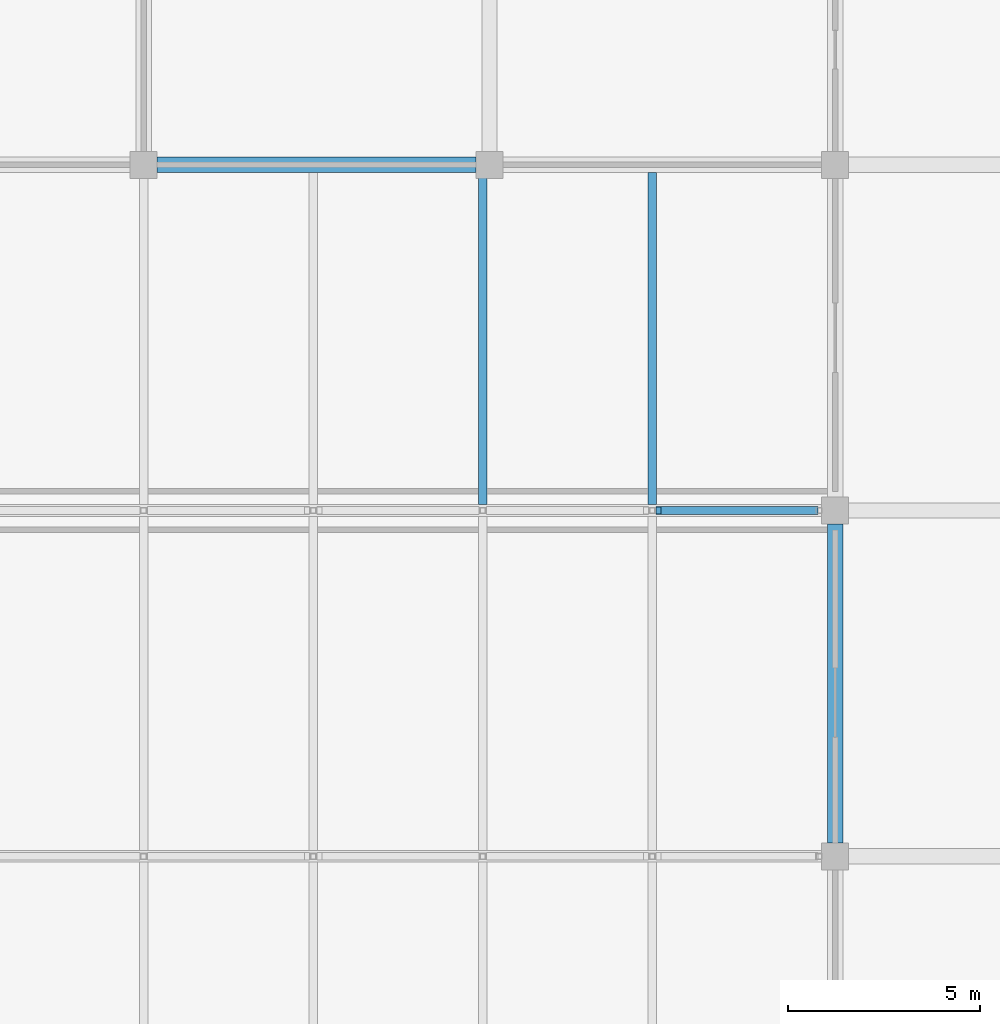
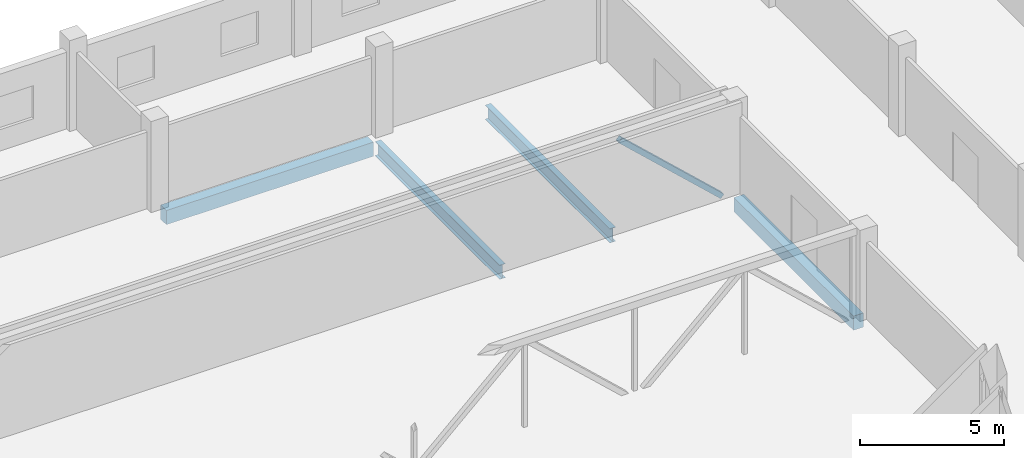
# One storey, part 19 of 42: 4 beams, 1 member.
"""IFC4 building model written with IfcOpenShell, lengths in metres."""

from ifc_helpers import new_model, si_unit, direction, frame, origin, origin_2d, place, context, subcontext, project, spatial, rectangle, hollow_rectangle, i_section, extrude, material, material_profile, profile_set, type_object, element, save


model = new_model("IFC4")

# Units and contexts
model_context = context("Model", 3, precision=1e-05, world=origin(), true_north=direction((0.0, 1.0)))
body_context = subcontext(model_context, "Body", "Model", "MODEL_VIEW")
ifc_project = project(units=[si_unit("LENGTHUNIT", "METRE"), si_unit("AREAUNIT", "SQUARE_METRE"), si_unit("VOLUMEUNIT", "CUBIC_METRE"), si_unit("PLANEANGLEUNIT", "RADIAN"), si_unit("MASSUNIT", "GRAM", prefix="KILO")], contexts=[model_context])

# Site, building, storey
site_placement = place(None, origin())
site = spatial("IfcSite", under=ifc_project, at=site_placement, CompositionType="ELEMENT")
building_placement = place(site_placement, origin())
building = spatial("IfcBuilding", under=site, at=building_placement, Name="Corbel Stack Research Tower", CompositionType="ELEMENT")
storey_placement = place(building_placement, frame((0.0, 0.0, 11.300048828125)))
storey = spatial("IfcBuildingStorey", under=building, at=storey_placement, Name="L02", CompositionType="ELEMENT", Elevation=11.300048828125)

# Beams
ifc_material_1 = material(Name="Concrete C40/50", Category="concrete")
ifc_material_profile_1 = material_profile(ifc_material_1, rectangle(XDim=0.39990234375, YDim=0.60009765625, at=origin_2d()), Name="RC 400 x 600")
ifc_profile_set_1 = profile_set([ifc_material_profile_1], Name="Concrete C40/50")
beam_type_1 = type_object("IfcBeamType", Name="HB1 RC beam 400 x 600", PredefinedType="BEAM", material=ifc_profile_set_1)
beam_1_placement = place(storey_placement, frame((69.300048828125, 18.0, -0.550048828125), z_axis=(1.0, 0.0, 0.0), x_axis=(0.0, 1.0, 0.0)))
element("IfcBeam", 1, at=beam_1_placement, inside=storey, type_object=beam_type_1, Name="Floor beam L02 H5HF-H6HF", PredefinedType="BEAM", context=body_context, shape_type="SweptSolid", body=[
    extrude(rectangle(XDim=0.39990234375, YDim=0.60009765625, at=origin_2d()), origin(), (0.0, 0.0, 1.0), 8.300048828125),
])
beam_2_placement = place(storey_placement, frame((86.949951171875, 0.35009765625, -0.550048828125), z_axis=(0.0, 1.0, 0.0), x_axis=(-1.0, 0.0, 0.0)))
element("IfcBeam", 2, at=beam_2_placement, inside=storey, type_object=beam_type_1, Name="Floor beam L02 H7HD-H7HE", PredefinedType="BEAM", context=body_context, shape_type="SweptSolid", body=[
    extrude(rectangle(XDim=0.39990234375, YDim=0.60009765625, at=origin_2d()), origin(), (0.0, 0.0, 1.0), 8.2998046875),
])
ifc_material_2 = material(Name="Steel S355", Category="steel")
ifc_material_profile_2 = material_profile(ifc_material_2, i_section(OverallWidth=0.22802734375, OverallDepth=0.60302734375, WebThickness=0.010986328125, FlangeThickness=0.014892578125, at=origin_2d()), Name="W24x68")
ifc_profile_set_2 = profile_set([ifc_material_profile_2], Name="Steel S355")
beam_type_2 = type_object("IfcBeamType", Name="HB2 steel beam W24x68", PredefinedType="BEAM", material=ifc_profile_set_2)
for number, where, z_axis, x_axis, name in (
    (3, (77.77490234375, 9.152587890625, -0.551513671875), (0.0, 1.0, 0.0), (-1.0, 0.0, 0.0), "Steel floor beam L02 bay 4 line 6"),
    (4, (82.1875, 9.152587890625, -0.551513671875), (0.0, 1.0, 0.0), (-1.0, 0.0, 0.0), "Steel floor beam L02 bay 4 line 7"),
):
    element("IfcBeam", number, at=place(storey_placement, frame(where, z_axis=z_axis, x_axis=x_axis)), inside=storey, type_object=beam_type_2, Name=name, PredefinedType="BEAM", context=body_context, shape_type="SweptSolid", body=[
        extrude(i_section(OverallWidth=0.22802734375, OverallDepth=0.60302734375, WebThickness=0.010986328125, FlangeThickness=0.014892578125, at=origin_2d()), origin(), (0.0, 0.0, 1.0), 8.6474609375),
    ])

# Member
ifc_material_3 = material(Name="Steel S355", Category="steel")
ifc_material_profile_3 = material_profile(ifc_material_3, hollow_rectangle(XDim=0.202880859375, YDim=0.202880859375, WallThickness=0.0087890625, at=origin_2d()), Name="HSS8x8x3/8")
ifc_profile_set_3 = profile_set([ifc_material_profile_3], Name="Steel S355")
member_type = type_object("IfcMemberType", Name="HT2 truss diagonal HSS8x8x3/8", PredefinedType="BRACE", material=ifc_profile_set_3)
member_placement = place(storey_placement, frame((82.3515625, 9.0, 3.544921875), z_axis=(0.732576659872, 0.0, -0.680684535898), x_axis=(0.0, 1.0, 0.0)))
element("IfcMember", 5, at=member_placement, inside=storey, type_object=member_type, Name="Truss TA3 diagonal 8", PredefinedType="BRACE", context=body_context, shape_type="SweptSolid", body=[
    extrude(hollow_rectangle(XDim=0.202880859375, YDim=0.202880859375, WallThickness=0.0087890625, at=origin_2d()), origin(), (0.0, 0.0, 1.0), 5.5751953125),
])

save(model, "model.ifc")
